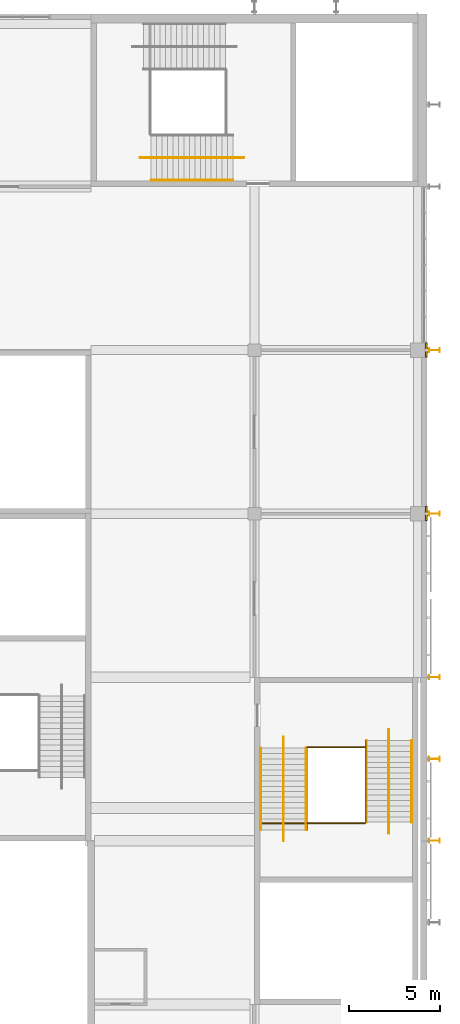
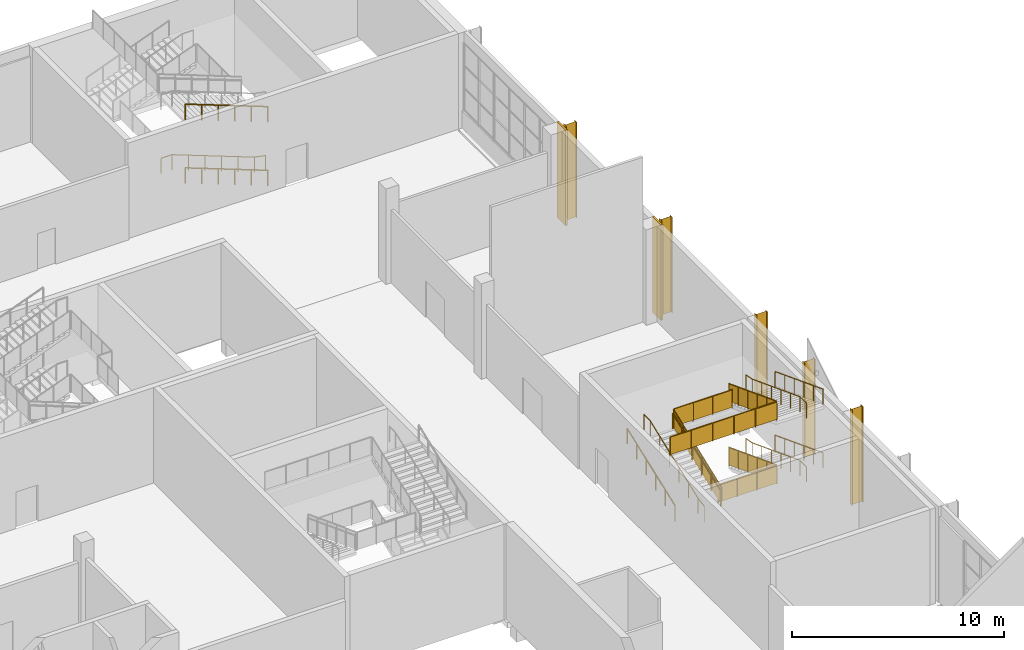
# One storey, part 82 of 84: 18 railings, 5 shading devices, 2 coverings.
"""IFC4 building model written with IfcOpenShell, lengths in metres."""

from ifc_helpers import new_model, si_unit, direction, frame, origin, origin_2d, place, context, subcontext, project, spatial, polyline, circle, i_section, outline, extrude, material, layer, layer_set, material_profile, profile_set, type_object, element, save


model = new_model("IFC4")

# Units and contexts
model_context = context("Model", 3, precision=1e-05, world=origin(), true_north=direction((0.0, 1.0)))
body_context = subcontext(model_context, "Body", "Model", "MODEL_VIEW")
ifc_project = project(units=[si_unit("LENGTHUNIT", "METRE"), si_unit("AREAUNIT", "SQUARE_METRE"), si_unit("VOLUMEUNIT", "CUBIC_METRE"), si_unit("PLANEANGLEUNIT", "RADIAN"), si_unit("MASSUNIT", "GRAM", prefix="KILO")], contexts=[model_context])

# Site, building, storey
site_placement = place(None, origin())
site = spatial("IfcSite", under=ifc_project, at=site_placement, CompositionType="ELEMENT")
building_placement = place(site_placement, origin())
building = spatial("IfcBuilding", under=site, at=building_placement, Name="Silverbay Arena", CompositionType="ELEMENT")
storey_placement = place(building_placement, frame((0.0, 0.0, 28.0)))
storey = spatial("IfcBuildingStorey", under=building, at=storey_placement, Name="L04", CompositionType="ELEMENT", Elevation=28.0)

# Coverings
ifc_material_1 = material(Name="Aluminium composite cladding", Category="aluminium")
ifc_layer = layer(ifc_material_1, 0.10009765625)
ifc_layer_set = layer_set([ifc_layer], Name="Aluminium composite cladding")
covering_type = type_object("IfcCoveringType", Name="Column cladding 100", PredefinedType="CLADDING", material=ifc_layer_set)
covering_1_placement = place(storey_placement, origin())
element("IfcCovering", 1, at=covering_1_placement, inside=storey, type_object=covering_type, Name="East column cladding L04 12", PredefinedType="CLADDING", context=body_context, shape_type="SweptSolid", body=[
    extrude(outline(polyline([(207.39990234375, 116.60009765625), (207.5, 116.60009765625), (207.5, 117.39990234375), (207.39990234375, 117.39990234375), (207.39990234375, 116.60009765625)])), origin(), (0.0, 0.0, 1.0), 5.5),
])
covering_2_placement = place(storey_placement, origin())
element("IfcCovering", 2, at=covering_2_placement, inside=storey, type_object=covering_type, Name="East column cladding L04 14", PredefinedType="CLADDING", context=body_context, shape_type="SweptSolid", body=[
    extrude(outline(polyline([(207.39990234375, 125.60009765625), (207.5, 125.60009765625), (207.5, 126.39990234375), (207.39990234375, 126.39990234375), (207.39990234375, 125.60009765625)])), origin(), (0.0, 0.0, 1.0), 5.5),
])

# Railings
ifc_material_2 = material(Name="Stainless steel", Category="steel")
railing_type_1 = type_object("IfcRailingType", Name="Stair guard 1100", PredefinedType="GUARDRAIL", material=ifc_material_2)
railing_1_placement = place(storey_placement, frame((204.125, 104.5205078125, 0.114501953125)))
element("IfcRailing", 3, at=railing_1_placement, inside=storey, type_object=railing_type_1, Name="Stair ST-E2 L04 to L05 flight 1 guard left", PredefinedType="GUARDRAIL", context=body_context, shape_type="SweptSolid", body=[
    extrude(circle(Radius=0.02392578125, at=origin_2d()), frame((0.0, 0.0, 1.076171875), z_axis=(0.0, -0.93417907455, 0.356804507641), x_axis=(1.0, 0.0, 0.0)), (0.0, 0.0, 1.0), 4.817138671875),
    extrude(outline(polyline([(-0.008056640625, 0.046875), (0.907958984375, 0.396728515625), (0.907958984375, 1.39990234375), (-0.008056640625, 1.050048828125), (-0.008056640625, 0.046875)])), frame((0.0029296875, 0.0, 0.0), z_axis=(-1.0, 0.0, 0.0), x_axis=(0.0, -1.0, 0.0)), (0.0, 0.0, 1.0), 0.006103515625),
    extrude(outline(polyline([(-0.008056640625, 0.390625), (0.907958984375, 0.740478515625), (0.907958984375, 1.74365234375), (-0.008056640625, 1.393798828125), (-0.008056640625, 0.390625)])), frame((0.0029296875, -0.89990234375, 0.0), z_axis=(-1.0, 0.0, 0.0), x_axis=(0.0, -1.0, 0.0)), (0.0, 0.0, 1.0), 0.006103515625),
    extrude(outline(polyline([(-0.008056640625, 0.734375), (0.907958984375, 1.084228515625), (0.907958984375, 2.08740234375), (-0.008056640625, 1.737548828125), (-0.008056640625, 0.734375)])), frame((0.0029296875, -1.800048828125, 0.0), z_axis=(-1.0, 0.0, 0.0), x_axis=(0.0, -1.0, 0.0)), (0.0, 0.0, 1.0), 0.006103515625),
    extrude(outline(polyline([(-0.008056640625, 1.078125), (0.907958984375, 1.427978515625), (0.907958984375, 2.43115234375), (-0.008056640625, 2.081298828125), (-0.008056640625, 1.078125)])), frame((0.0029296875, -2.699951171875, 0.0), z_axis=(-1.0, 0.0, 0.0), x_axis=(0.0, -1.0, 0.0)), (0.0, 0.0, 1.0), 0.006103515625),
    extrude(outline(polyline([(-0.008056640625, 1.421875), (0.907958984375, 1.771728515625), (0.907958984375, 2.77490234375), (-0.008056640625, 2.425048828125), (-0.008056640625, 1.421875)])), frame((0.0029296875, -3.60009765625, 0.0), z_axis=(-1.0, 0.0, 0.0), x_axis=(0.0, -1.0, 0.0)), (0.0, 0.0, 1.0), 0.006103515625),
    extrude(circle(Radius=0.02099609375, at=origin_2d()), origin(), (0.0, 0.0, 1.0), 1.052001953125),
    extrude(circle(Radius=0.02099609375, at=origin_2d()), frame((0.0, -0.89990234375, 0.34375)), (0.0, 0.0, 1.0), 1.052001953125),
    extrude(circle(Radius=0.02099609375, at=origin_2d()), frame((0.0, -1.800048828125, 0.6875)), (0.0, 0.0, 1.0), 1.052001953125),
    extrude(circle(Radius=0.02099609375, at=origin_2d()), frame((0.0, -2.699951171875, 1.03125)), (0.0, 0.0, 1.0), 1.052001953125),
    extrude(circle(Radius=0.02099609375, at=origin_2d()), frame((0.0, -3.60009765625, 1.375)), (0.0, 0.0, 1.0), 1.052001953125),
    extrude(circle(Radius=0.02099609375, at=origin_2d()), frame((0.0, -4.5, 1.71875)), (0.0, 0.0, 1.0), 1.052001953125),
])
railing_2_placement = place(storey_placement, frame((200.875, 99.60009765625, 1.947998046875)))
element("IfcRailing", 4, at=railing_2_placement, inside=storey, type_object=railing_type_1, Name="Stair ST-E2 L04 to L05 flight 2 guard right", PredefinedType="GUARDRAIL", context=body_context, shape_type="SweptSolid", body=[
    extrude(circle(Radius=0.02392578125, at=origin_2d()), frame((0.0, 0.0, 1.076171875), z_axis=(0.0, 0.93417907455, 0.356804507641), x_axis=(-1.0, 0.0, 0.0)), (0.0, 0.0, 1.0), 4.817138671875),
    extrude(outline(polyline([(-0.008056640625, 0.046875), (0.907958984375, 0.396728515625), (0.907958984375, 1.39990234375), (-0.008056640625, 1.050048828125), (-0.008056640625, 0.046875)])), frame((-0.0029296875, 0.0, 0.0), z_axis=(1.0, 0.0, 0.0), x_axis=(0.0, 1.0, 0.0)), (0.0, 0.0, 1.0), 0.006103515625),
    extrude(outline(polyline([(-0.008056640625, 0.390625), (0.907958984375, 0.740478515625), (0.907958984375, 1.74365234375), (-0.008056640625, 1.393798828125), (-0.008056640625, 0.390625)])), frame((-0.0029296875, 0.89990234375, 0.0), z_axis=(1.0, 0.0, 0.0), x_axis=(0.0, 1.0, 0.0)), (0.0, 0.0, 1.0), 0.006103515625),
    extrude(outline(polyline([(-0.008056640625, 0.734375), (0.907958984375, 1.084228515625), (0.907958984375, 2.08740234375), (-0.008056640625, 1.737548828125), (-0.008056640625, 0.734375)])), frame((-0.0029296875, 1.800048828125, 0.0), z_axis=(1.0, 0.0, 0.0), x_axis=(0.0, 1.0, 0.0)), (0.0, 0.0, 1.0), 0.006103515625),
    extrude(outline(polyline([(-0.008056640625, 1.078125), (0.907958984375, 1.427978515625), (0.907958984375, 2.43115234375), (-0.008056640625, 2.081298828125), (-0.008056640625, 1.078125)])), frame((-0.0029296875, 2.699951171875, 0.0), z_axis=(1.0, 0.0, 0.0), x_axis=(0.0, 1.0, 0.0)), (0.0, 0.0, 1.0), 0.006103515625),
    extrude(outline(polyline([(-0.008056640625, 1.421875), (0.907958984375, 1.771728515625), (0.907958984375, 2.77490234375), (-0.008056640625, 2.425048828125), (-0.008056640625, 1.421875)])), frame((-0.0029296875, 3.60009765625, 0.0), z_axis=(1.0, 0.0, 0.0), x_axis=(0.0, 1.0, 0.0)), (0.0, 0.0, 1.0), 0.006103515625),
    extrude(circle(Radius=0.02099609375, at=origin_2d()), origin(), (0.0, 0.0, 1.0), 1.052001953125),
    extrude(circle(Radius=0.02099609375, at=origin_2d()), frame((0.0, 0.89990234375, 0.34375)), (0.0, 0.0, 1.0), 1.052001953125),
    extrude(circle(Radius=0.02099609375, at=origin_2d()), frame((0.0, 1.800048828125, 0.6875)), (0.0, 0.0, 1.0), 1.052001953125),
    extrude(circle(Radius=0.02099609375, at=origin_2d()), frame((0.0, 2.699951171875, 1.03125)), (0.0, 0.0, 1.0), 1.052001953125),
    extrude(circle(Radius=0.02099609375, at=origin_2d()), frame((0.0, 3.60009765625, 1.375)), (0.0, 0.0, 1.0), 1.052001953125),
    extrude(circle(Radius=0.02099609375, at=origin_2d()), frame((0.0, 4.5, 1.71875)), (0.0, 0.0, 1.0), 1.052001953125),
])
railing_3_placement = place(storey_placement, frame((204.125, 104.5205078125, 3.78125)))
element("IfcRailing", 5, at=railing_3_placement, inside=storey, type_object=railing_type_1, Name="Stair ST-E2 L04 to L05 flight 3 guard left", PredefinedType="GUARDRAIL", context=body_context, shape_type="SweptSolid", body=[
    extrude(circle(Radius=0.02392578125, at=origin_2d()), frame((0.0, 0.0, 1.076171875), z_axis=(0.0, -0.93417907455, 0.356804507641), x_axis=(1.0, 0.0, 0.0)), (0.0, 0.0, 1.0), 4.817138671875),
    extrude(outline(polyline([(-0.008056640625, 0.046875), (0.907958984375, 0.396728515625), (0.907958984375, 1.39990234375), (-0.008056640625, 1.050048828125), (-0.008056640625, 0.046875)])), frame((0.0029296875, 0.0, 0.0), z_axis=(-1.0, 0.0, 0.0), x_axis=(0.0, -1.0, 0.0)), (0.0, 0.0, 1.0), 0.006103515625),
    extrude(outline(polyline([(-0.008056640625, 0.390625), (0.907958984375, 0.740478515625), (0.907958984375, 1.74365234375), (-0.008056640625, 1.393798828125), (-0.008056640625, 0.390625)])), frame((0.0029296875, -0.89990234375, 0.0), z_axis=(-1.0, 0.0, 0.0), x_axis=(0.0, -1.0, 0.0)), (0.0, 0.0, 1.0), 0.006103515625),
    extrude(outline(polyline([(-0.008056640625, 0.734375), (0.907958984375, 1.084228515625), (0.907958984375, 2.08740234375), (-0.008056640625, 1.737548828125), (-0.008056640625, 0.734375)])), frame((0.0029296875, -1.800048828125, 0.0), z_axis=(-1.0, 0.0, 0.0), x_axis=(0.0, -1.0, 0.0)), (0.0, 0.0, 1.0), 0.006103515625),
    extrude(outline(polyline([(-0.008056640625, 1.078125), (0.907958984375, 1.427978515625), (0.907958984375, 2.43115234375), (-0.008056640625, 2.081298828125), (-0.008056640625, 1.078125)])), frame((0.0029296875, -2.699951171875, 0.0), z_axis=(-1.0, 0.0, 0.0), x_axis=(0.0, -1.0, 0.0)), (0.0, 0.0, 1.0), 0.006103515625),
    extrude(outline(polyline([(-0.008056640625, 1.421875), (0.907958984375, 1.771728515625), (0.907958984375, 2.77490234375), (-0.008056640625, 2.425048828125), (-0.008056640625, 1.421875)])), frame((0.0029296875, -3.60009765625, 0.0), z_axis=(-1.0, 0.0, 0.0), x_axis=(0.0, -1.0, 0.0)), (0.0, 0.0, 1.0), 0.006103515625),
    extrude(circle(Radius=0.02099609375, at=origin_2d()), origin(), (0.0, 0.0, 1.0), 1.052001953125),
    extrude(circle(Radius=0.02099609375, at=origin_2d()), frame((0.0, -0.89990234375, 0.34375)), (0.0, 0.0, 1.0), 1.052001953125),
    extrude(circle(Radius=0.02099609375, at=origin_2d()), frame((0.0, -1.800048828125, 0.6875)), (0.0, 0.0, 1.0), 1.052001953125),
    extrude(circle(Radius=0.02099609375, at=origin_2d()), frame((0.0, -2.699951171875, 1.03125)), (0.0, 0.0, 1.0), 1.052001953125),
    extrude(circle(Radius=0.02099609375, at=origin_2d()), frame((0.0, -3.60009765625, 1.375)), (0.0, 0.0, 1.0), 1.052001953125),
    extrude(circle(Radius=0.02099609375, at=origin_2d()), frame((0.0, -4.5, 1.71875)), (0.0, 0.0, 1.0), 1.052001953125),
])
for number, where, name in (
    (6, (200.89990234375, 99.970458984375, 1.833251953125), "Stair ST-E2 L04 to L05 landing 1 guard"),
    (7, (200.89990234375, 104.14990234375, 3.666748046875), "Stair ST-E2 L04 to L05 landing 2 guard"),
):
    element("IfcRailing", number, at=place(storey_placement, frame(where)), inside=storey, type_object=railing_type_1, Name=name, PredefinedType="GUARDRAIL", context=body_context, shape_type="SweptSolid", body=[
        extrude(circle(Radius=0.02392578125, at=origin_2d()), frame((0.0, 0.0, 1.076171875), z_axis=(1.0, 0.0, 0.0), x_axis=(0.0, 1.0, 0.0)), (0.0, 0.0, 1.0), 3.2001953125),
        extrude(outline(polyline([(-0.008056640625, 0.050048828125), (1.07470703125, 0.050048828125), (1.07470703125, 1.052978515625), (-0.008056640625, 1.052978515625), (-0.008056640625, 0.050048828125)])), frame((0.0, 0.0029296875, 0.0), z_axis=(0.0, -1.0, 0.0), x_axis=(1.0, 0.0, 0.0)), (0.0, 0.0, 1.0), 0.006103515625),
        extrude(outline(polyline([(-0.008056640625, 0.050048828125), (1.07470703125, 0.050048828125), (1.07470703125, 1.052978515625), (-0.008056640625, 1.052978515625), (-0.008056640625, 0.050048828125)])), frame((1.066650390625, 0.0029296875, 0.0), z_axis=(0.0, -1.0, 0.0), x_axis=(1.0, 0.0, 0.0)), (0.0, 0.0, 1.0), 0.006103515625),
        extrude(outline(polyline([(-0.008056640625, 0.050048828125), (1.07470703125, 0.050048828125), (1.07470703125, 1.052978515625), (-0.008056640625, 1.052978515625), (-0.008056640625, 0.050048828125)])), frame((2.133544921875, 0.0029296875, 0.0), z_axis=(0.0, -1.0, 0.0), x_axis=(1.0, 0.0, 0.0)), (0.0, 0.0, 1.0), 0.006103515625),
        extrude(circle(Radius=0.02099609375, at=origin_2d()), origin(), (0.0, 0.0, 1.0), 1.052001953125),
        extrude(circle(Radius=0.02099609375, at=origin_2d()), frame((1.066650390625, 0.0, 0.0)), (0.0, 0.0, 1.0), 1.052001953125),
        extrude(circle(Radius=0.02099609375, at=origin_2d()), frame((2.133544921875, 0.0, 0.0)), (0.0, 0.0, 1.0), 1.052001953125),
        extrude(circle(Radius=0.02099609375, at=origin_2d()), frame((3.2001953125, 0.0, 0.0)), (0.0, 0.0, 1.0), 1.052001953125),
    ])
railing_4_placement = place(storey_placement, frame((204.10009765625, 99.970458984375, 5.5)))
element("IfcRailing", 8, at=railing_4_placement, inside=storey, type_object=railing_type_1, Name="Stair ST-E2 L04 to L05 landing 3 guard", PredefinedType="GUARDRAIL", context=body_context, shape_type="SweptSolid", body=[
    extrude(circle(Radius=0.02392578125, at=origin_2d()), frame((0.0, 0.0, 1.076171875), z_axis=(-1.0, 0.0, 0.0), x_axis=(0.0, -1.0, 0.0)), (0.0, 0.0, 1.0), 5.800048828125),
    extrude(outline(polyline([(-0.008056640625, 0.050048828125), (1.16796875, 0.050048828125), (1.16796875, 1.052978515625), (-0.008056640625, 1.052978515625), (-0.008056640625, 0.050048828125)])), frame((0.0, -0.0029296875, 0.0), z_axis=(0.0, 1.0, 0.0), x_axis=(-1.0, 0.0, 0.0)), (0.0, 0.0, 1.0), 0.006103515625),
    extrude(outline(polyline([(-0.008056640625, 0.050048828125), (1.16796875, 0.050048828125), (1.16796875, 1.052978515625), (-0.008056640625, 1.052978515625), (-0.008056640625, 0.050048828125)])), frame((-1.159912109375, -0.0029296875, 0.0), z_axis=(0.0, 1.0, 0.0), x_axis=(-1.0, 0.0, 0.0)), (0.0, 0.0, 1.0), 0.006103515625),
    extrude(outline(polyline([(-0.008056640625, 0.050048828125), (1.16796875, 0.050048828125), (1.16796875, 1.052978515625), (-0.008056640625, 1.052978515625), (-0.008056640625, 0.050048828125)])), frame((-2.320068359375, -0.0029296875, 0.0), z_axis=(0.0, 1.0, 0.0), x_axis=(-1.0, 0.0, 0.0)), (0.0, 0.0, 1.0), 0.006103515625),
    extrude(outline(polyline([(-0.008056640625, 0.050048828125), (1.16796875, 0.050048828125), (1.16796875, 1.052978515625), (-0.008056640625, 1.052978515625), (-0.008056640625, 0.050048828125)])), frame((-3.47998046875, -0.0029296875, 0.0), z_axis=(0.0, 1.0, 0.0), x_axis=(-1.0, 0.0, 0.0)), (0.0, 0.0, 1.0), 0.006103515625),
    extrude(outline(polyline([(-0.008056640625, 0.050048828125), (1.16796875, 0.050048828125), (1.16796875, 1.052978515625), (-0.008056640625, 1.052978515625), (-0.008056640625, 0.050048828125)])), frame((-4.64013671875, -0.0029296875, 0.0), z_axis=(0.0, 1.0, 0.0), x_axis=(-1.0, 0.0, 0.0)), (0.0, 0.0, 1.0), 0.006103515625),
    extrude(circle(Radius=0.02099609375, at=origin_2d()), origin(), (0.0, 0.0, 1.0), 1.052001953125),
    extrude(circle(Radius=0.02099609375, at=origin_2d()), frame((-1.159912109375, 0.0, 0.0)), (0.0, 0.0, 1.0), 1.052001953125),
    extrude(circle(Radius=0.02099609375, at=origin_2d()), frame((-2.320068359375, 0.0, 0.0)), (0.0, 0.0, 1.0), 1.052001953125),
    extrude(circle(Radius=0.02099609375, at=origin_2d()), frame((-3.47998046875, 0.0, 0.0)), (0.0, 0.0, 1.0), 1.052001953125),
    extrude(circle(Radius=0.02099609375, at=origin_2d()), frame((-4.64013671875, 0.0, 0.0)), (0.0, 0.0, 1.0), 1.052001953125),
    extrude(circle(Radius=0.02099609375, at=origin_2d()), frame((-5.800048828125, 0.0, 0.0)), (0.0, 0.0, 1.0), 1.052001953125),
])
ifc_material_3 = material(Name="Stainless steel", Category="steel")
railing_type_2 = type_object("IfcRailingType", Name="Stair handrail 900", PredefinedType="HANDRAIL", material=ifc_material_3)
railing_5_placement = place(storey_placement, frame((196.8203125, 135.35009765625, 0.114501953125)))
element("IfcRailing", 9, at=railing_5_placement, inside=storey, type_object=railing_type_2, Name="Stair ST-N6 L04 to L05 flight 1 handrail left", PredefinedType="HANDRAIL", context=body_context, shape_type="SweptSolid", body=[
    extrude(circle(Radius=0.02392578125, at=origin_2d()), frame((0.0, 0.0, 0.8759765625), z_axis=(-0.93417907455, 0.0, 0.356804507641), x_axis=(0.0, -1.0, 0.0)), (0.0, 0.0, 1.0), 4.817138671875),
    extrude(circle(Radius=0.02099609375, at=origin_2d()), origin(), (0.0, 0.0, 1.0), 0.851806640625),
    extrude(circle(Radius=0.02099609375, at=origin_2d()), frame((-0.89990234375, 0.0, 0.34375)), (0.0, 0.0, 1.0), 0.851806640625),
    extrude(circle(Radius=0.02099609375, at=origin_2d()), frame((-1.800048828125, 0.0, 0.6875)), (0.0, 0.0, 1.0), 0.851806640625),
    extrude(circle(Radius=0.02099609375, at=origin_2d()), frame((-2.699951171875, 0.0, 1.03125)), (0.0, 0.0, 1.0), 0.851806640625),
    extrude(circle(Radius=0.02099609375, at=origin_2d()), frame((-3.60009765625, 0.0, 1.375)), (0.0, 0.0, 1.0), 0.851806640625),
    extrude(circle(Radius=0.02099609375, at=origin_2d()), frame((-4.5, 0.0, 1.71875)), (0.0, 0.0, 1.0), 0.851806640625),
])
railing_6_placement = place(storey_placement, frame((197.42041015625, 136.60009765625, 0.0)))
element("IfcRailing", 10, at=railing_6_placement, inside=storey, type_object=railing_type_2, Name="Stair ST-N6 L04 to L05 flight 1 central handrail", PredefinedType="HANDRAIL", context=body_context, shape_type="SweptSolid", body=[
    extrude(circle(Radius=0.02392578125, at=origin_2d()), frame((0.0, 0.0, 0.8759765625), z_axis=(-0.982279053969, 0.0, 0.187424278402), x_axis=(0.0, -1.0, 0.0)), (0.0, 0.0, 1.0), 0.61083984375),
    extrude(circle(Radius=0.02392578125, at=origin_2d()), frame((-0.60009765625, 0.0, 0.990234375), z_axis=(-0.93417907455, 0.0, 0.356804507641), x_axis=(0.0, -1.0, 0.0)), (0.0, 0.0, 1.0), 4.817138671875),
    extrude(circle(Radius=0.02392578125, at=origin_2d()), frame((-5.10009765625, 0.0, 2.708984375), z_axis=(-1.0, 0.0, 0.0), x_axis=(0.0, -1.0, 0.0)), (0.0, 0.0, 1.0), 0.599853515625),
    extrude(circle(Radius=0.02099609375, at=origin_2d()), origin(), (0.0, 0.0, 1.0), 0.851806640625),
    extrude(circle(Radius=0.02099609375, at=origin_2d()), frame((-0.60009765625, 0.0, 0.114501953125)), (0.0, 0.0, 1.0), 0.851806640625),
    extrude(circle(Radius=0.02099609375, at=origin_2d()), frame((-1.5, 0.0, 0.458251953125)), (0.0, 0.0, 1.0), 0.851806640625),
    extrude(circle(Radius=0.02099609375, at=origin_2d()), frame((-2.400146484375, 0.0, 0.802001953125)), (0.0, 0.0, 1.0), 0.851806640625),
    extrude(circle(Radius=0.02099609375, at=origin_2d()), frame((-3.300048828125, 0.0, 1.145751953125)), (0.0, 0.0, 1.0), 0.851806640625),
    extrude(circle(Radius=0.02099609375, at=origin_2d()), frame((-4.2001953125, 0.0, 1.489501953125)), (0.0, 0.0, 1.0), 0.851806640625),
    extrude(circle(Radius=0.02099609375, at=origin_2d()), frame((-5.10009765625, 0.0, 1.833251953125)), (0.0, 0.0, 1.0), 0.851806640625),
    extrude(circle(Radius=0.02099609375, at=origin_2d()), frame((-5.699951171875, 0.0, 1.833251953125)), (0.0, 0.0, 1.0), 0.851806640625),
])
railing_7_placement = place(storey_placement, frame((196.8203125, 135.35009765625, 3.78125)))
element("IfcRailing", 11, at=railing_7_placement, inside=storey, type_object=railing_type_2, Name="Stair ST-N6 L04 to L05 flight 3 handrail left", PredefinedType="HANDRAIL", context=body_context, shape_type="SweptSolid", body=[
    extrude(circle(Radius=0.02392578125, at=origin_2d()), frame((0.0, 0.0, 0.8759765625), z_axis=(-0.93417907455, 0.0, 0.356804507641), x_axis=(0.0, -1.0, 0.0)), (0.0, 0.0, 1.0), 4.817138671875),
    extrude(circle(Radius=0.02099609375, at=origin_2d()), origin(), (0.0, 0.0, 1.0), 0.851806640625),
    extrude(circle(Radius=0.02099609375, at=origin_2d()), frame((-0.89990234375, 0.0, 0.34375)), (0.0, 0.0, 1.0), 0.851806640625),
    extrude(circle(Radius=0.02099609375, at=origin_2d()), frame((-1.800048828125, 0.0, 0.6875)), (0.0, 0.0, 1.0), 0.851806640625),
    extrude(circle(Radius=0.02099609375, at=origin_2d()), frame((-2.699951171875, 0.0, 1.03125)), (0.0, 0.0, 1.0), 0.851806640625),
    extrude(circle(Radius=0.02099609375, at=origin_2d()), frame((-3.60009765625, 0.0, 1.375)), (0.0, 0.0, 1.0), 0.851806640625),
    extrude(circle(Radius=0.02099609375, at=origin_2d()), frame((-4.5, 0.0, 1.71875)), (0.0, 0.0, 1.0), 0.851806640625),
])
for number, where, name in (
    (12, (204.1640625, 104.5205078125, 0.114501953125), "Stair ST-E2 L04 to L05 flight 1 handrail left"),
    (13, (206.64990234375, 104.5205078125, 0.114501953125), "Stair ST-E2 L04 to L05 flight 1 handrail right"),
):
    element("IfcRailing", number, at=place(storey_placement, frame(where)), inside=storey, type_object=railing_type_2, Name=name, PredefinedType="HANDRAIL", context=body_context, shape_type="SweptSolid", body=[
        extrude(circle(Radius=0.02392578125, at=origin_2d()), frame((0.0, 0.0, 0.8759765625), z_axis=(0.0, -0.93417907455, 0.356804507641), x_axis=(1.0, 0.0, 0.0)), (0.0, 0.0, 1.0), 4.817138671875),
        extrude(circle(Radius=0.02099609375, at=origin_2d()), origin(), (0.0, 0.0, 1.0), 0.851806640625),
        extrude(circle(Radius=0.02099609375, at=origin_2d()), frame((0.0, -0.89990234375, 0.34375)), (0.0, 0.0, 1.0), 0.851806640625),
        extrude(circle(Radius=0.02099609375, at=origin_2d()), frame((0.0, -1.800048828125, 0.6875)), (0.0, 0.0, 1.0), 0.851806640625),
        extrude(circle(Radius=0.02099609375, at=origin_2d()), frame((0.0, -2.699951171875, 1.03125)), (0.0, 0.0, 1.0), 0.851806640625),
        extrude(circle(Radius=0.02099609375, at=origin_2d()), frame((0.0, -3.60009765625, 1.375)), (0.0, 0.0, 1.0), 0.851806640625),
        extrude(circle(Radius=0.02099609375, at=origin_2d()), frame((0.0, -4.5, 1.71875)), (0.0, 0.0, 1.0), 0.851806640625),
    ])
railing_8_placement = place(storey_placement, frame((205.39990234375, 105.120361328125, 0.0)))
element("IfcRailing", 14, at=railing_8_placement, inside=storey, type_object=railing_type_2, Name="Stair ST-E2 L04 to L05 flight 1 central handrail", PredefinedType="HANDRAIL", context=body_context, shape_type="SweptSolid", body=[
    extrude(circle(Radius=0.02392578125, at=origin_2d()), frame((0.0, 0.0, 0.8759765625), z_axis=(0.0, -0.982265007716, 0.187497878966), x_axis=(1.0, 0.0, 0.0)), (0.0, 0.0, 1.0), 0.610595703125),
    extrude(circle(Radius=0.02392578125, at=origin_2d()), frame((0.0, -0.599853515625, 0.990234375), z_axis=(0.0, -0.93417907455, 0.356804507641), x_axis=(1.0, 0.0, 0.0)), (0.0, 0.0, 1.0), 4.817138671875),
    extrude(circle(Radius=0.02392578125, at=origin_2d()), frame((0.0, -5.099853515625, 2.708984375), z_axis=(0.0, -1.0, 0.0), x_axis=(1.0, 0.0, 0.0)), (0.0, 0.0, 1.0), 0.60009765625),
    extrude(circle(Radius=0.02099609375, at=origin_2d()), origin(), (0.0, 0.0, 1.0), 0.851806640625),
    extrude(circle(Radius=0.02099609375, at=origin_2d()), frame((0.0, -0.599853515625, 0.114501953125)), (0.0, 0.0, 1.0), 0.851806640625),
    extrude(circle(Radius=0.02099609375, at=origin_2d()), frame((0.0, -1.499755859375, 0.458251953125)), (0.0, 0.0, 1.0), 0.851806640625),
    extrude(circle(Radius=0.02099609375, at=origin_2d()), frame((0.0, -2.39990234375, 0.802001953125)), (0.0, 0.0, 1.0), 0.851806640625),
    extrude(circle(Radius=0.02099609375, at=origin_2d()), frame((0.0, -3.2998046875, 1.145751953125)), (0.0, 0.0, 1.0), 0.851806640625),
    extrude(circle(Radius=0.02099609375, at=origin_2d()), frame((0.0, -4.199951171875, 1.489501953125)), (0.0, 0.0, 1.0), 0.851806640625),
    extrude(circle(Radius=0.02099609375, at=origin_2d()), frame((0.0, -5.099853515625, 1.833251953125)), (0.0, 0.0, 1.0), 0.851806640625),
    extrude(circle(Radius=0.02099609375, at=origin_2d()), frame((0.0, -5.699951171875, 1.833251953125)), (0.0, 0.0, 1.0), 0.851806640625),
])
for number, where, name in (
    (15, (198.35009765625, 99.60009765625, 1.947998046875), "Stair ST-E2 L04 to L05 flight 2 handrail left"),
    (16, (200.8359375, 99.60009765625, 1.947998046875), "Stair ST-E2 L04 to L05 flight 2 handrail right"),
):
    element("IfcRailing", number, at=place(storey_placement, frame(where)), inside=storey, type_object=railing_type_2, Name=name, PredefinedType="HANDRAIL", context=body_context, shape_type="SweptSolid", body=[
        extrude(circle(Radius=0.02392578125, at=origin_2d()), frame((0.0, 0.0, 0.8759765625), z_axis=(0.0, 0.93417907455, 0.356804507641), x_axis=(-1.0, 0.0, 0.0)), (0.0, 0.0, 1.0), 4.817138671875),
        extrude(circle(Radius=0.02099609375, at=origin_2d()), origin(), (0.0, 0.0, 1.0), 0.851806640625),
        extrude(circle(Radius=0.02099609375, at=origin_2d()), frame((0.0, 0.89990234375, 0.34375)), (0.0, 0.0, 1.0), 0.851806640625),
        extrude(circle(Radius=0.02099609375, at=origin_2d()), frame((0.0, 1.800048828125, 0.6875)), (0.0, 0.0, 1.0), 0.851806640625),
        extrude(circle(Radius=0.02099609375, at=origin_2d()), frame((0.0, 2.699951171875, 1.03125)), (0.0, 0.0, 1.0), 0.851806640625),
        extrude(circle(Radius=0.02099609375, at=origin_2d()), frame((0.0, 3.60009765625, 1.375)), (0.0, 0.0, 1.0), 0.851806640625),
        extrude(circle(Radius=0.02099609375, at=origin_2d()), frame((0.0, 4.5, 1.71875)), (0.0, 0.0, 1.0), 0.851806640625),
    ])
railing_9_placement = place(storey_placement, frame((199.60009765625, 99.0, 1.833251953125)))
element("IfcRailing", 17, at=railing_9_placement, inside=storey, type_object=railing_type_2, Name="Stair ST-E2 L04 to L05 flight 2 central handrail", PredefinedType="HANDRAIL", context=body_context, shape_type="SweptSolid", body=[
    extrude(circle(Radius=0.02392578125, at=origin_2d()), frame((0.0, 0.0, 0.8759765625), z_axis=(0.0, 0.982205411617, 0.1878098224), x_axis=(-1.0, 0.0, 0.0)), (0.0, 0.0, 1.0), 0.611083984375),
    extrude(circle(Radius=0.02392578125, at=origin_2d()), frame((0.0, 0.60009765625, 0.99072265625), z_axis=(0.0, 0.93417907455, 0.356804507641), x_axis=(-1.0, 0.0, 0.0)), (0.0, 0.0, 1.0), 4.817138671875),
    extrude(circle(Radius=0.02392578125, at=origin_2d()), frame((0.0, 5.10009765625, 2.70947265625), z_axis=(0.0, 1.0, 0.0), x_axis=(-1.0, 0.0, 0.0)), (0.0, 0.0, 1.0), 0.599853515625),
    extrude(circle(Radius=0.02099609375, at=origin_2d()), origin(), (0.0, 0.0, 1.0), 0.851806640625),
    extrude(circle(Radius=0.02099609375, at=origin_2d()), frame((0.0, 0.60009765625, 0.11474609375)), (0.0, 0.0, 1.0), 0.851806640625),
    extrude(circle(Radius=0.02099609375, at=origin_2d()), frame((0.0, 1.5, 0.45849609375)), (0.0, 0.0, 1.0), 0.851806640625),
    extrude(circle(Radius=0.02099609375, at=origin_2d()), frame((0.0, 2.400146484375, 0.80224609375)), (0.0, 0.0, 1.0), 0.851806640625),
    extrude(circle(Radius=0.02099609375, at=origin_2d()), frame((0.0, 3.300048828125, 1.14599609375)), (0.0, 0.0, 1.0), 0.851806640625),
    extrude(circle(Radius=0.02099609375, at=origin_2d()), frame((0.0, 4.2001953125, 1.48974609375)), (0.0, 0.0, 1.0), 0.851806640625),
    extrude(circle(Radius=0.02099609375, at=origin_2d()), frame((0.0, 5.10009765625, 1.83349609375)), (0.0, 0.0, 1.0), 0.851806640625),
    extrude(circle(Radius=0.02099609375, at=origin_2d()), frame((0.0, 5.699951171875, 1.83349609375)), (0.0, 0.0, 1.0), 0.851806640625),
])
for number, where, name in (
    (18, (204.1640625, 104.5205078125, 3.78125), "Stair ST-E2 L04 to L05 flight 3 handrail left"),
    (19, (206.64990234375, 104.5205078125, 3.78125), "Stair ST-E2 L04 to L05 flight 3 handrail right"),
):
    element("IfcRailing", number, at=place(storey_placement, frame(where)), inside=storey, type_object=railing_type_2, Name=name, PredefinedType="HANDRAIL", context=body_context, shape_type="SweptSolid", body=[
        extrude(circle(Radius=0.02392578125, at=origin_2d()), frame((0.0, 0.0, 0.8759765625), z_axis=(0.0, -0.93417907455, 0.356804507641), x_axis=(1.0, 0.0, 0.0)), (0.0, 0.0, 1.0), 4.817138671875),
        extrude(circle(Radius=0.02099609375, at=origin_2d()), origin(), (0.0, 0.0, 1.0), 0.851806640625),
        extrude(circle(Radius=0.02099609375, at=origin_2d()), frame((0.0, -0.89990234375, 0.34375)), (0.0, 0.0, 1.0), 0.851806640625),
        extrude(circle(Radius=0.02099609375, at=origin_2d()), frame((0.0, -1.800048828125, 0.6875)), (0.0, 0.0, 1.0), 0.851806640625),
        extrude(circle(Radius=0.02099609375, at=origin_2d()), frame((0.0, -2.699951171875, 1.03125)), (0.0, 0.0, 1.0), 0.851806640625),
        extrude(circle(Radius=0.02099609375, at=origin_2d()), frame((0.0, -3.60009765625, 1.375)), (0.0, 0.0, 1.0), 0.851806640625),
        extrude(circle(Radius=0.02099609375, at=origin_2d()), frame((0.0, -4.5, 1.71875)), (0.0, 0.0, 1.0), 0.851806640625),
    ])
railing_10_placement = place(storey_placement, frame((205.39990234375, 105.120361328125, 3.666748046875)))
element("IfcRailing", 20, at=railing_10_placement, inside=storey, type_object=railing_type_2, Name="Stair ST-E2 L04 to L05 flight 3 central handrail", PredefinedType="HANDRAIL", context=body_context, shape_type="SweptSolid", body=[
    extrude(circle(Radius=0.02392578125, at=origin_2d()), frame((0.0, 0.0, 0.8759765625), z_axis=(0.0, -0.982265007716, 0.187497878966), x_axis=(1.0, 0.0, 0.0)), (0.0, 0.0, 1.0), 0.610595703125),
    extrude(circle(Radius=0.02392578125, at=origin_2d()), frame((0.0, -0.599853515625, 0.990234375), z_axis=(0.0, -0.93417907455, 0.356804507641), x_axis=(1.0, 0.0, 0.0)), (0.0, 0.0, 1.0), 4.817138671875),
    extrude(circle(Radius=0.02392578125, at=origin_2d()), frame((0.0, -5.099853515625, 2.708984375), z_axis=(0.0, -1.0, 0.0), x_axis=(1.0, 0.0, 0.0)), (0.0, 0.0, 1.0), 0.60009765625),
    extrude(circle(Radius=0.02099609375, at=origin_2d()), origin(), (0.0, 0.0, 1.0), 0.851806640625),
    extrude(circle(Radius=0.02099609375, at=origin_2d()), frame((0.0, -0.599853515625, 0.114501953125)), (0.0, 0.0, 1.0), 0.851806640625),
    extrude(circle(Radius=0.02099609375, at=origin_2d()), frame((0.0, -1.499755859375, 0.458251953125)), (0.0, 0.0, 1.0), 0.851806640625),
    extrude(circle(Radius=0.02099609375, at=origin_2d()), frame((0.0, -2.39990234375, 0.802001953125)), (0.0, 0.0, 1.0), 0.851806640625),
    extrude(circle(Radius=0.02099609375, at=origin_2d()), frame((0.0, -3.2998046875, 1.145751953125)), (0.0, 0.0, 1.0), 0.851806640625),
    extrude(circle(Radius=0.02099609375, at=origin_2d()), frame((0.0, -4.199951171875, 1.489501953125)), (0.0, 0.0, 1.0), 0.851806640625),
    extrude(circle(Radius=0.02099609375, at=origin_2d()), frame((0.0, -5.099853515625, 1.833251953125)), (0.0, 0.0, 1.0), 0.851806640625),
    extrude(circle(Radius=0.02099609375, at=origin_2d()), frame((0.0, -5.699951171875, 1.833251953125)), (0.0, 0.0, 1.0), 0.851806640625),
])

# Shading devices
ifc_material_4 = material(Name="Steel S355", Category="steel")
ifc_material_profile = material_profile(ifc_material_4, i_section(OverallWidth=0.2275390625, OverallDepth=0.6025390625, WebThickness=0.010498046875, FlangeThickness=0.014892578125, at=origin_2d()), Name="UB 610x229x101")
ifc_profile_set = profile_set([ifc_material_profile], Name="Steel S355")
shading_device_type = type_object("IfcShadingDeviceType", Name="Steel fin UB 610x229x101", PredefinedType="USERDEFINED", material=ifc_profile_set)
for number, where, z_axis, x_axis, name in (
    (21, (207.9013671875, 99.0, 0.0), (0.0, 0.0, 1.0), (0.0, 1.0, 0.0), "Steel fin E L04 18"),
    (22, (207.9013671875, 103.5, 0.0), (0.0, 0.0, 1.0), (0.0, 1.0, 0.0), "Steel fin E L04 19"),
    (23, (207.9013671875, 108.0, 0.0), (0.0, 0.0, 1.0), (0.0, 1.0, 0.0), "Steel fin E L04 20"),
    (24, (207.9013671875, 117.0, 0.0), (0.0, 0.0, 1.0), (0.0, 1.0, 0.0), "Steel fin E L04 22"),
    (25, (207.9013671875, 126.0, 0.0), (0.0, 0.0, 1.0), (0.0, 1.0, 0.0), "Steel fin E L04 24"),
):
    element("IfcShadingDevice", number, at=place(storey_placement, frame(where, z_axis=z_axis, x_axis=x_axis)), inside=storey, type_object=shading_device_type, Name=name, ObjectType="FIN", PredefinedType="USERDEFINED", context=body_context, shape_type="SweptSolid", body=[
        extrude(i_section(OverallWidth=0.2275390625, OverallDepth=0.6025390625, WebThickness=0.010498046875, FlangeThickness=0.014892578125, at=origin_2d()), origin(), (0.0, 0.0, 1.0), 5.5),
    ])

save(model, "model.ifc")
